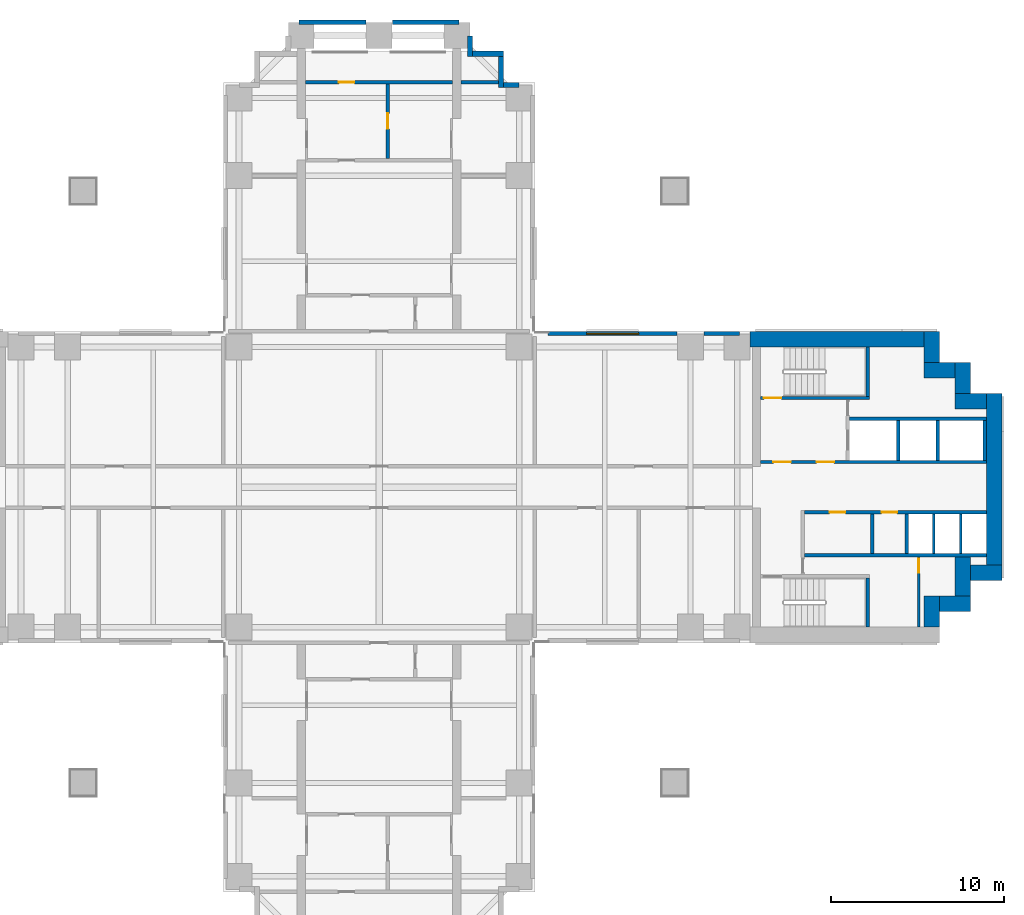
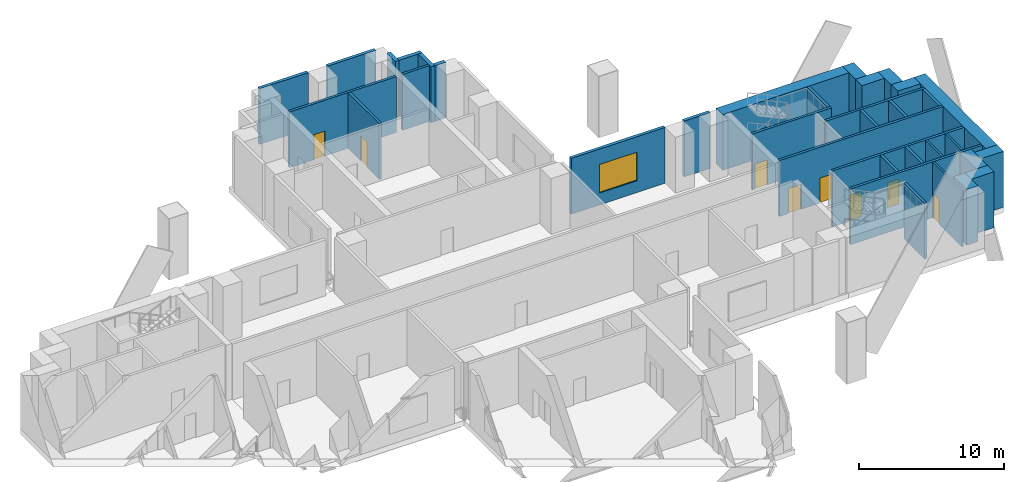
# One storey, part 6 of 10: 36 walls, 8 doors, 1 window, 9 openings.
"""IFC4 building model written with IfcOpenShell, lengths in metres."""

import ifcopenshell
import ifcopenshell.guid

model = None  # the IFC model being written
_history = None  # IfcOwnerHistory: only IFC2X3 demands one
_inside = {}  # id of a spatial element -> (the spatial element, [elements in it])
_under = {}  # id of a project, library or spatial element -> (it, [spatial elements below it])
_declared = {}  # id of a project -> (the project, [libraries it declares])
_typed = {}  # id of a type object -> (the type object, [elements of that type])
_made_of = {}  # id of a material, layer set ... -> (it, [elements and type objects made of it])


def new_model(schema):
    """Start an empty IFC model of exactly this schema.

    Asked for "IFC4X3", IfcOpenShell would pick the latest addendum, in which some entities
    have other attributes; the version numbers below select the first issue.
    IFC2X3 requires an IfcOwnerHistory on every rooted entity: one is made here for all.
    """
    global model, _history
    if schema == "IFC4X3":
        model = ifcopenshell.file(schema_version=(4, 3, 0, 0))
    else:
        model = ifcopenshell.file(schema=schema)
    _inside.clear()
    _under.clear()
    _declared.clear()
    _typed.clear()
    _made_of.clear()
    _history = None
    if model.schema == "IFC2X3":
        org = make("IfcOrganization", Name="unknown")
        user = make(
            "IfcPersonAndOrganization",
            ThePerson=make("IfcPerson", FamilyName="unknown"),
            TheOrganization=org,
        )
        app = make(
            "IfcApplication",
            ApplicationDeveloper=org,
            Version="unknown",
            ApplicationFullName="unknown",
            ApplicationIdentifier="unknown",
        )
        _history = make(
            "IfcOwnerHistory",
            OwningUser=user,
            OwningApplication=app,
            ChangeAction="ADDED",
            CreationDate=0,
        )
    return model


def make(cls, **values):
    """One entity of the class cls with the attributes given. An attribute that is None is left unset."""
    return model.create_entity(
        cls, **{name: value for name, value in values.items() if value is not None}
    )


def rooted(cls, **values):
    """An entity with a GlobalId (a new one), such as an element, a storey or a relation."""
    return make(cls, GlobalId=ifcopenshell.guid.new(), OwnerHistory=_history, **values)


def si_unit(unit_type, name, prefix=None):
    """IfcSIUnit, for example si_unit("LENGTHUNIT", "METRE", prefix="MILLI")."""
    return make("IfcSIUnit", UnitType=unit_type, Prefix=prefix, Name=name)


def assignment(units):
    """IfcUnitAssignment: the units of a project."""
    return None if units is None else make("IfcUnitAssignment", Units=units)


def point(xyz):
    """IfcCartesianPoint."""
    return None if xyz is None else make("IfcCartesianPoint", Coordinates=xyz)


def direction(xyz):
    """IfcDirection."""
    return None if xyz is None else make("IfcDirection", DirectionRatios=xyz)


def frame(location, z_axis=None, x_axis=None):
    """IfcAxis2Placement3D, a coordinate frame: its origin and axes. An axis left out is left unset."""
    return make(
        "IfcAxis2Placement3D",
        Location=point(location),
        Axis=direction(z_axis),
        RefDirection=direction(x_axis),
    )


def frame_2d(location, x_axis=None):
    """IfcAxis2Placement2D, a coordinate frame in the plane: its origin and x axis."""
    return make(
        "IfcAxis2Placement2D", Location=point(location), RefDirection=direction(x_axis)
    )


def origin():
    """The frame at (0, 0, 0) with its axes left unset."""
    return frame((0.0, 0.0, 0.0))


def place(relative_to, where):
    """IfcLocalPlacement: puts the frame where relative to a parent placement (None: the world)."""
    return make(
        "IfcLocalPlacement", PlacementRelTo=relative_to, RelativePlacement=where
    )


def context(
    kind, dimensions, precision=None, world=None, true_north=None, identifier=None
):
    """IfcGeometricRepresentationContext, for example the 3D "Model" context."""
    return make(
        "IfcGeometricRepresentationContext",
        ContextIdentifier=identifier,
        ContextType=kind,
        CoordinateSpaceDimension=dimensions,
        Precision=precision,
        WorldCoordinateSystem=world,
        TrueNorth=true_north,
    )


def subcontext(parent, identifier, kind, view, scale=None):
    """IfcGeometricRepresentationSubContext, for example "Body" below "Model"."""
    return make(
        "IfcGeometricRepresentationSubContext",
        ContextIdentifier=identifier,
        ContextType=kind,
        ParentContext=parent,
        TargetScale=scale,
        TargetView=view,
    )


def project(units=None, contexts=None):
    """IfcProject with its units and contexts."""
    return rooted(
        "IfcProject",
        Name="project",
        RepresentationContexts=contexts,
        UnitsInContext=assignment(units),
    )


def spatial(cls, under=None, at=None, **own):
    """A site, building, storey or space (cls), placed at a placement, below another one or the project."""
    s = rooted(cls, ObjectPlacement=at, **own)
    if under is not None:
        _under.setdefault(under.id(), (under, []))[1].append(s)
    return s


def profile(cls, at=None, kind="AREA", **sizes):
    """A parametric profile (cls). Its sizes go by their IFC names, for example OverallWidth=200.0."""
    return make(cls, ProfileType=kind, Position=at, **sizes)


def rectangle(**sizes):
    """IfcRectangleProfileDef."""
    return profile("IfcRectangleProfileDef", **sizes)


def extrude(swept, where, along, depth):
    """IfcExtrudedAreaSolid: the profile swept, set in the frame where, extruded along a direction by depth."""
    return make(
        "IfcExtrudedAreaSolid",
        SweptArea=swept,
        Position=where,
        ExtrudedDirection=direction(along),
        Depth=depth,
    )


def shape(context_of_items, identifier, shape_type, items):
    """IfcShapeRepresentation: the items that make up one representation, for example the "Body"."""
    return make(
        "IfcShapeRepresentation",
        ContextOfItems=context_of_items,
        RepresentationIdentifier=identifier,
        RepresentationType=shape_type,
        Items=items,
    )


def material(Name=None, Category=None):
    """IfcMaterial."""
    return make("IfcMaterial", Name=Name, Category=Category)


def layer(
    of_material, thickness, ventilated=None, Name=None, Category=None, Priority=None
):
    """IfcMaterialLayer: one layer of a wall or slab, of a material (None: an air gap)."""
    return make(
        "IfcMaterialLayer",
        Material=of_material,
        LayerThickness=thickness,
        IsVentilated=ventilated,
        Name=Name,
        Category=Category,
        Priority=Priority,
    )


def layer_set(layers, Name=None):
    """IfcMaterialLayerSet."""
    return make("IfcMaterialLayerSet", MaterialLayers=layers, LayerSetName=Name)


def made_of(thing, what):
    """Note that an element or type object is made of a material, layer set ...; save() writes the relation."""
    if what is not None:
        _made_of.setdefault(what.id(), (what, []))[1].append(thing)
    return thing


def type_object(cls, material=None, **own):
    """A type object (cls), such as IfcWallType, which elements share."""
    return made_of(rooted(cls, **own), material)


def element(
    cls,
    number,
    at=None,
    inside=None,
    cuts=None,
    type_object=None,
    material=None,
    context=None,
    identifier="Body",
    shape_type=None,
    held_by="IfcProductDefinitionShape",
    body=None,
    shapes=None,
    **own,
):
    """One element of the class cls, such as IfcWall. Its Tag is "e" and its number.

    at: its placement. inside: the storey or other place that contains it. cuts: it is an
    opening in that element (IfcRelVoidsElement). A single representation is given by context,
    identifier, shape_type and body (its items); several are given by shapes. held_by: the class
    of the entity that holds the representations. save() writes the other relations.
    """
    e = rooted(cls, Tag="e%d" % number, ObjectPlacement=at, **own)
    if body is not None:
        shapes = [shape(context, identifier, shape_type, body)]
    if shapes is not None:
        e.Representation = make(held_by, Representations=shapes)
    if inside is not None:
        _inside.setdefault(inside.id(), (inside, []))[1].append(e)
    if cuts is not None:
        rooted(
            "IfcRelVoidsElement", RelatingBuildingElement=cuts, RelatedOpeningElement=e
        )
    if type_object is not None:
        _typed.setdefault(type_object.id(), (type_object, []))[1].append(e)
    return made_of(e, material)


def fill(opening, filler):
    """IfcRelFillsElement: the door or window that sits in an opening."""
    return rooted(
        "IfcRelFillsElement",
        RelatingOpeningElement=opening,
        RelatedBuildingElement=filler,
    )


def aggregate(whole, parts):
    """IfcRelAggregates: a whole, such as a stair, and the parts it consists of."""
    return rooted("IfcRelAggregates", RelatingObject=whole, RelatedObjects=parts)


def save(model, path):
    """Write the relations noted so far, then the file.

    IfcRelAggregates (storeys below a building ...), IfcRelContainedInSpatialStructure (elements
    in a storey), IfcRelDefinesByType, IfcRelAssociatesMaterial and IfcRelDeclares: one each for
    every whole, place, type object, material and project.
    """
    for whole, parts in _under.values():
        aggregate(whole, parts)
    for where, things in _inside.values():
        rooted(
            "IfcRelContainedInSpatialStructure",
            RelatedElements=things,
            RelatingStructure=where,
        )
    for kind, things in _typed.values():
        rooted("IfcRelDefinesByType", RelatedObjects=things, RelatingType=kind)
    for what, things in _made_of.values():
        rooted("IfcRelAssociatesMaterial", RelatedObjects=things, RelatingMaterial=what)
    for by, libraries in _declared.values():
        rooted("IfcRelDeclares", RelatingContext=by, RelatedDefinitions=libraries)
    model.write(path)


model = new_model("IFC4")

# Units and contexts
model_context = context("Model", 3, precision=1e-05, world=origin(), true_north=direction((0.0, 1.0)))
body_context = subcontext(model_context, "Body", "Model", "MODEL_VIEW")
ifc_project = project(units=[si_unit("LENGTHUNIT", "METRE"), si_unit("AREAUNIT", "SQUARE_METRE"), si_unit("VOLUMEUNIT", "CUBIC_METRE"), si_unit("PLANEANGLEUNIT", "RADIAN"), si_unit("MASSUNIT", "GRAM", prefix="KILO")], contexts=[model_context])

# Site, building, storey
site_placement = place(None, origin())
site = spatial("IfcSite", under=ifc_project, at=site_placement, CompositionType="ELEMENT")
building_placement = place(site_placement, origin())
building = spatial("IfcBuilding", under=site, at=building_placement, Name="Perihelion Cross Residences", CompositionType="ELEMENT")
storey_placement = place(building_placement, frame((0.0, 0.0, 27.0)))
storey = spatial("IfcBuildingStorey", under=building, at=storey_placement, Name="L03", CompositionType="ELEMENT", Elevation=27.0)

# Wall, opening, door
ifc_material_1 = material(Name="Plasterboard partition")
ifc_layer_1 = layer(ifc_material_1, 0.199951171875)
ifc_layer_set_1 = layer_set([ifc_layer_1], Name="Apartment riser wall 200")
wall_type_1 = type_object("IfcWallType", Name="Apartment riser wall 200", PredefinedType="PARTITIONING", material=ifc_layer_set_1)
wall_1_placement = place(storey_placement, frame((0.5, 23.300048828125, 0.0), z_axis=(0.0, 0.0, 1.0), x_axis=(0.0, -1.0, 0.0)))
wall_1 = element("IfcWall", 1, at=wall_1_placement, inside=storey, type_object=wall_type_1, Name="Partition L03 W014", PredefinedType="PARTITIONING", context=body_context, shape_type="SweptSolid", body=[
    extrude(rectangle(XDim=4.300048828125, YDim=0.199951171875, at=frame_2d((2.14990234375, 0.0))), origin(), (0.0, 0.0, 1.0), 4.699951171875),
])
opening_1_placement = place(wall_1_placement, frame((1.699951171875, 0.0, 0.0)))
opening_1 = element("IfcOpeningElement", 2, at=opening_1_placement, cuts=wall_1, Name="Opening L03.A13", PredefinedType="OPENING", context=body_context, shape_type="SweptSolid", body=[
    extrude(rectangle(XDim=0.89990234375, YDim=2.10009765625, at=frame_2d((0.449951171875, 1.050048828125))), frame((0.0, 0.10986328125, 0.0), z_axis=(0.0, -1.0, 0.0), x_axis=(1.0, 0.0, 0.0)), (0.0, 0.0, 1.0), 0.219970703125),
])
ifc_material_2 = material(Name="Timber door leaf", Category="wood")
door_type_1 = type_object("IfcDoorType", Name="Interior room door 900 x 2100", OperationType="SINGLE_SWING_LEFT", PredefinedType="DOOR", material=ifc_material_2)
door_1_placement = place(opening_1_placement, origin())
door_1 = element("IfcDoor", 3, at=door_1_placement, inside=storey, type_object=door_type_1, Name="Door L03.A13", OperationType="SINGLE_SWING_RIGHT", OverallHeight=2.10009765625, OverallWidth=0.89990234375, PredefinedType="DOOR", context=body_context, shape_type="SweptSolid", body=[
    extrude(rectangle(XDim=0.89990234375, YDim=2.10009765625, at=frame_2d((0.449951171875, 1.050048828125))), frame((0.0, 0.02490234375, 0.0), z_axis=(0.0, -1.0, 0.0), x_axis=(1.0, 0.0, 0.0)), (0.0, 0.0, 1.0), 0.050048828125),
])
fill(opening_1, door_1)

wall_2_placement = place(storey_placement, frame((-4.25, 23.39990234375, 0.0), z_axis=(0.0, 0.0, 1.0), x_axis=(1.0, 0.0, 0.0)))
wall_2 = element("IfcWall", 4, at=wall_2_placement, inside=storey, type_object=wall_type_1, Name="Partition L03 W015", PredefinedType="PARTITIONING", context=body_context, shape_type="SweptSolid", body=[
    extrude(rectangle(XDim=8.5, YDim=0.199951171875, at=frame_2d((4.25, 0.0))), origin(), (0.0, 0.0, 1.0), 4.699951171875),
])
opening_2_placement = place(wall_2_placement, frame((1.925048828125, 0.0, 0.0)))
opening_2 = element("IfcOpeningElement", 5, at=opening_2_placement, cuts=wall_2, Name="Opening L03.A14", PredefinedType="OPENING", context=body_context, shape_type="SweptSolid", body=[
    extrude(rectangle(XDim=0.89990234375, YDim=2.10009765625, at=frame_2d((0.449951171875, 1.050048828125))), frame((0.0, 0.10986328125, 0.0), z_axis=(0.0, -1.0, 0.0), x_axis=(1.0, 0.0, 0.0)), (0.0, 0.0, 1.0), 0.219970703125),
])
door_2_placement = place(opening_2_placement, origin())
door_2 = element("IfcDoor", 6, at=door_2_placement, inside=storey, type_object=door_type_1, Name="Door L03.A14", OperationType="SINGLE_SWING_RIGHT", OverallHeight=2.10009765625, OverallWidth=0.89990234375, PredefinedType="DOOR", context=body_context, shape_type="SweptSolid", body=[
    extrude(rectangle(XDim=0.89990234375, YDim=2.10009765625, at=frame_2d((0.449951171875, 1.050048828125))), frame((0.0, 0.02490234375, 0.0), z_axis=(0.0, -1.0, 0.0), x_axis=(1.0, 0.0, 0.0)), (0.0, 0.0, 1.0), 0.050048828125),
])
fill(opening_2, door_2)

# Walls
wall_3_placement = place(storey_placement, frame((4.75, 23.39990234375, 0.0), z_axis=(0.0, 0.0, 1.0), x_axis=(1.0, 0.0, 0.0)))
element("IfcWall", 7, at=wall_3_placement, inside=storey, type_object=wall_type_1, Name="Partition L03 W017", PredefinedType="PARTITIONING", context=body_context, shape_type="SweptSolid", body=[
    extrude(rectangle(XDim=2.14990234375, YDim=0.199951171875, at=frame_2d((1.074951171875, 0.0))), origin(), (0.0, 0.0, 1.0), 4.699951171875),
])
ifc_material_3 = material(Name="Concrete C30/37, bronze-clad", Category="concrete")
ifc_layer_2 = layer(ifc_material_3, 0.300048828125)
ifc_layer_set_2 = layer_set([ifc_layer_2], Name="Bronze-clad serration wall 300")
wall_type_2 = type_object("IfcWallType", Name="Bronze-clad serration wall 300", PredefinedType="SOLIDWALL", material=ifc_layer_set_2)
wall_4_placement = place(storey_placement, frame((8.080078125, 23.25, 0.0), z_axis=(0.0, 0.0, 1.0), x_axis=(-1.0, 0.0, 0.0)))
element("IfcWall", 8, at=wall_4_placement, inside=storey, type_object=wall_type_2, Name="Wall SR1 L03 north corner north-east 1", PredefinedType="SOLIDWALL", context=body_context, shape_type="SweptSolid", body=[
    extrude(rectangle(XDim=0.880126953125, YDim=0.300048828125, at=frame_2d((0.43994140625, 0.0))), origin(), (0.0, 0.0, 1.0), 4.699951171875),
])
wall_5_placement = place(storey_placement, frame((7.050048828125, 23.10009765625, 0.0), z_axis=(0.0, 0.0, 1.0), x_axis=(0.0, 1.0, 0.0)))
element("IfcWall", 9, at=wall_5_placement, inside=storey, type_object=wall_type_2, Name="Wall SR1 L03 north corner north-east 2", PredefinedType="SOLIDWALL", context=body_context, shape_type="SweptSolid", body=[
    extrude(rectangle(XDim=1.7998046875, YDim=0.300048828125, at=frame_2d((0.89990234375, 0.0))), origin(), (0.0, 0.0, 1.0), 4.699951171875),
])
wall_6_placement = place(storey_placement, frame((7.199951171875, 25.050048828125, 0.0), z_axis=(0.0, 0.0, 1.0), x_axis=(-1.0, 0.0, 0.0)))
element("IfcWall", 10, at=wall_6_placement, inside=storey, type_object=wall_type_2, Name="Wall SR1 L03 north corner north-east 3", PredefinedType="SOLIDWALL", context=body_context, shape_type="SweptSolid", body=[
    extrude(rectangle(XDim=1.800048828125, YDim=0.300048828125, at=frame_2d((0.89990234375, 0.0))), origin(), (0.0, 0.0, 1.0), 4.699951171875),
])
wall_7_placement = place(storey_placement, frame((5.25, 24.89990234375, 0.0), z_axis=(0.0, 0.0, 1.0), x_axis=(0.0, 1.0, 0.0)))
element("IfcWall", 11, at=wall_7_placement, inside=storey, type_object=wall_type_2, Name="Wall SR1 L03 north corner north-east 4", PredefinedType="SOLIDWALL", context=body_context, shape_type="SweptSolid", body=[
    extrude(rectangle(XDim=1.18017578125, YDim=0.300048828125, at=frame_2d((0.590087890625, 0.0))), origin(), (0.0, 0.0, 1.0), 4.699951171875),
])
ifc_material_4 = material(Name="Concrete C60/75", Category="concrete")
ifc_layer_3 = layer(ifc_material_4, 0.89990234375)
ifc_layer_set_3 = layer_set([ifc_layer_3], Name="Core wall, outer 900")
wall_type_3 = type_object("IfcWallType", Name="Core wall, outer 900", PredefinedType="SHEAR", material=ifc_layer_set_3)
for number, where, z_axis, x_axis, name in (
    (12, (31.949951171875, -8.10009765625, 0.0), (0.0, 0.0, 1.0), (0.0, 1.0, 0.0), "East core core wall, outer"),
    (13, (32.39990234375, -6.75, 0.0), (0.0, 0.0, 1.0), (1.0, 0.0, 0.0), "East core core wall, outer"),
):
    element("IfcWall", number, at=place(storey_placement, frame(where, z_axis=z_axis, x_axis=x_axis)), inside=storey, type_object=wall_type_3, Name=name, PredefinedType="SHEAR", context=body_context, shape_type="SweptSolid", body=[
        extrude(rectangle(XDim=1.800048828125, YDim=0.89990234375, at=frame_2d((0.89990234375, 0.0))), origin(), (0.0, 0.0, 1.0), 4.699951171875),
    ])
wall_8_placement = place(storey_placement, frame((33.75, -6.300048828125, 0.0), z_axis=(0.0, 0.0, 1.0), x_axis=(0.0, 1.0, 0.0)))
element("IfcWall", 14, at=wall_8_placement, inside=storey, type_object=wall_type_3, Name="East core core wall, outer", PredefinedType="SHEAR", context=body_context, shape_type="SweptSolid", body=[
    extrude(rectangle(XDim=2.25, YDim=0.89990234375, at=frame_2d((1.125, 0.0))), origin(), (0.0, 0.0, 1.0), 4.699951171875),
])
wall_9_placement = place(storey_placement, frame((34.199951171875, -4.949951171875, 0.0), z_axis=(0.0, 0.0, 1.0), x_axis=(1.0, 0.0, 0.0)))
element("IfcWall", 15, at=wall_9_placement, inside=storey, type_object=wall_type_3, Name="East core core wall, outer", PredefinedType="SHEAR", context=body_context, shape_type="SweptSolid", body=[
    extrude(rectangle(XDim=1.800048828125, YDim=0.89990234375, at=frame_2d((0.89990234375, 0.0))), origin(), (0.0, 0.0, 1.0), 4.699951171875),
])
wall_10_placement = place(storey_placement, frame((35.550048828125, -4.5, 0.0), z_axis=(0.0, 0.0, 1.0), x_axis=(0.0, 1.0, 0.0)))
element("IfcWall", 16, at=wall_10_placement, inside=storey, type_object=wall_type_3, Name="East core core wall, outer", PredefinedType="SHEAR", context=body_context, shape_type="SweptSolid", body=[
    extrude(rectangle(XDim=9.89990234375, YDim=0.89990234375, at=frame_2d((4.949951171875, 0.0))), origin(), (0.0, 0.0, 1.0), 4.699951171875),
])
for number, where, z_axis, x_axis, name in (
    (17, (33.300048828125, 4.949951171875, 0.0), (0.0, 0.0, 1.0), (1.0, 0.0, 0.0), "East core core wall, outer"),
    (18, (33.75, 5.39990234375, 0.0), (0.0, 0.0, 1.0), (0.0, 1.0, 0.0), "East core core wall, outer"),
    (19, (31.5, 6.75, 0.0), (0.0, 0.0, 1.0), (1.0, 0.0, 0.0), "East core core wall, outer"),
    (20, (31.949951171875, 7.199951171875, 0.0), (0.0, 0.0, 1.0), (0.0, 1.0, 0.0), "East core core wall, outer"),
):
    element("IfcWall", number, at=place(storey_placement, frame(where, z_axis=z_axis, x_axis=x_axis)), inside=storey, type_object=wall_type_3, Name=name, PredefinedType="SHEAR", context=body_context, shape_type="SweptSolid", body=[
        extrude(rectangle(XDim=1.800048828125, YDim=0.89990234375, at=frame_2d((0.89990234375, 0.0))), origin(), (0.0, 0.0, 1.0), 4.699951171875),
    ])
wall_11_placement = place(storey_placement, frame((21.449951171875, 8.550048828125, 0.0), z_axis=(0.0, 0.0, 1.0), x_axis=(1.0, 0.0, 0.0)))
element("IfcWall", 21, at=wall_11_placement, inside=storey, type_object=wall_type_3, Name="East core core wall, outer", PredefinedType="SHEAR", context=body_context, shape_type="SweptSolid", body=[
    extrude(rectangle(XDim=10.050048828125, YDim=0.89990234375, at=frame_2d((5.02490234375, 0.0))), origin(), (0.0, 0.0, 1.0), 4.699951171875),
])
ifc_material_5 = material(Name="Concrete C30/37, bronze-clad", Category="concrete")
ifc_layer_4 = layer(ifc_material_5, 0.25)
ifc_layer_set_4 = layer_set([ifc_layer_4], Name="Louvre bay wall 250")
wall_type_4 = type_object("IfcWallType", Name="Louvre bay wall 250", PredefinedType="SOLIDWALL", material=ifc_layer_set_4)
wall_12_placement = place(storey_placement, frame((20.830078125, 8.875, 0.0), z_axis=(0.0, 0.0, 1.0), x_axis=(-1.0, 0.0, 0.0)))
element("IfcWall", 22, at=wall_12_placement, inside=storey, type_object=wall_type_4, Name="Wall FW2 L03 east side north bay 1 louvre", PredefinedType="SOLIDWALL", context=body_context, shape_type="SweptSolid", body=[
    extrude(rectangle(XDim=2.06005859375, YDim=0.25, at=frame_2d((1.030029296875, 0.0))), origin(), (0.0, 0.0, 1.0), 4.699951171875),
])

# Wall, opening, window
wall_13_placement = place(storey_placement, frame((17.22998046875, 8.875, 0.0), z_axis=(0.0, 0.0, 1.0), x_axis=(-1.0, 0.0, 0.0)))
wall_13 = element("IfcWall", 23, at=wall_13_placement, inside=storey, type_object=wall_type_4, Name="Wall FW2 L03 east side north bay 2 louvre", PredefinedType="SOLIDWALL", context=body_context, shape_type="SweptSolid", body=[
    extrude(rectangle(XDim=7.4599609375, YDim=0.25, at=frame_2d((3.72998046875, 0.0))), origin(), (0.0, 0.0, 1.0), 4.699951171875),
])
opening_3_placement = place(wall_13_placement, frame((2.22998046875, 0.0, 1.0)))
opening_3 = element("IfcOpeningElement", 24, at=opening_3_placement, cuts=wall_13, Name="Opening L03.W01", PredefinedType="OPENING", context=body_context, shape_type="SweptSolid", body=[
    extrude(rectangle(XDim=3.0, YDim=2.39990234375, at=frame_2d((1.5, 1.199951171875))), frame((0.0, 0.135009765625, 0.0), z_axis=(0.0, -1.0, 0.0), x_axis=(1.0, 0.0, 0.0)), (0.0, 0.0, 1.0), 0.27001953125),
])
ifc_material_6 = material(Name="Bronze anodised aluminium, louvred", Category="aluminium")
window_type = type_object("IfcWindowType", Name="Louvred vent 3000 x 2400", PartitioningType="SINGLE_PANEL", PredefinedType="WINDOW", material=ifc_material_6)
window_placement = place(opening_3_placement, origin())
window = element("IfcWindow", 25, at=window_placement, inside=storey, type_object=window_type, Name="Window L03.W01 east side north bay 2 vent", OverallHeight=2.39990234375, OverallWidth=3.0, PartitioningType="SINGLE_PANEL", PredefinedType="WINDOW", context=body_context, shape_type="SweptSolid", body=[
    extrude(rectangle(XDim=3.0, YDim=2.39990234375, at=frame_2d((1.5, 1.199951171875))), frame((0.0, 0.030029296875, 0.0), z_axis=(0.0, -1.0, 0.0), x_axis=(1.0, 0.0, 0.0)), (0.0, 0.0, 1.0), 0.06005859375),
])
fill(opening_3, window)

# Walls
for number, where, z_axis, x_axis, name in (
    (26, (4.6298828125, 26.875, 0.0), (0.0, 0.0, 1.0), (-1.0, 0.0, 0.0), "Wall FW2 L03 north tip north bay 1 louvre"),
    (27, (-0.77001953125, 26.875, 0.0), (0.0, 0.0, 1.0), (-1.0, 0.0, 0.0), "Wall FW2 L03 north tip north bay 2 louvre"),
):
    element("IfcWall", number, at=place(storey_placement, frame(where, z_axis=z_axis, x_axis=x_axis)), inside=storey, type_object=wall_type_4, Name=name, PredefinedType="SOLIDWALL", context=body_context, shape_type="SweptSolid", body=[
        extrude(rectangle(XDim=3.85986328125, YDim=0.25, at=frame_2d((1.929931640625, 0.0))), origin(), (0.0, 0.0, 1.0), 4.699951171875),
    ])

# Wall, opening, door
ifc_material_7 = material(Name="Fire-rated board on steel stud", Category="steel")
ifc_layer_5 = layer(ifc_material_7, 0.14990234375)
ifc_layer_set_5 = layer_set([ifc_layer_5], Name="Riser wall 150")
wall_type_5 = type_object("IfcWallType", Name="Riser wall 150", PredefinedType="PARTITIONING", material=ifc_layer_set_5)
wall_14_placement = place(storey_placement, frame((31.199951171875, -8.10009765625, 0.0), z_axis=(0.0, 0.0, 1.0), x_axis=(0.0, 1.0, 0.0)))
wall_14 = element("IfcWall", 28, at=wall_14_placement, inside=storey, type_object=wall_type_5, Name="East core riser wall", PredefinedType="PARTITIONING", context=body_context, shape_type="SweptSolid", body=[
    extrude(rectangle(XDim=4.050048828125, YDim=0.14990234375, at=frame_2d((2.02490234375, 0.0))), origin(), (0.0, 0.0, 1.0), 4.699951171875),
])
opening_4_placement = place(wall_14_placement, frame((3.14990234375, 0.0, 0.0)))
opening_4 = element("IfcOpeningElement", 29, at=opening_4_placement, cuts=wall_14, Name="Opening L03.C10", PredefinedType="OPENING", context=body_context, shape_type="SweptSolid", body=[
    extrude(rectangle(XDim=0.800048828125, YDim=2.10009765625, at=frame_2d((0.39990234375, 1.050048828125))), frame((0.0, 0.0849609375, 0.0), z_axis=(0.0, -1.0, 0.0), x_axis=(1.0, 0.0, 0.0)), (0.0, 0.0, 1.0), 0.169921875),
])
ifc_material_8 = material(Name="Steel, powder coated", Category="steel")
door_type_2 = type_object("IfcDoorType", Name="Riser door 800", OperationType="SINGLE_SWING_LEFT", PredefinedType="DOOR", material=ifc_material_8)
door_3_placement = place(opening_4_placement, origin())
door_3 = element("IfcDoor", 30, at=door_3_placement, inside=storey, type_object=door_type_2, Name="East core riser door", OperationType="SINGLE_SWING_LEFT", OverallHeight=2.10009765625, OverallWidth=0.800048828125, PredefinedType="DOOR", context=body_context, shape_type="SweptSolid", body=[
    extrude(rectangle(XDim=0.800048828125, YDim=2.10009765625, at=frame_2d((0.39990234375, 1.050048828125))), frame((0.0, 0.02490234375, 0.0), z_axis=(0.0, -1.0, 0.0), x_axis=(1.0, 0.0, 0.0)), (0.0, 0.0, 1.0), 0.050048828125),
])
fill(opening_4, door_3)

# Walls
ifc_material_9 = material(Name="Fire-rated board on steel stud", Category="steel")
ifc_layer_6 = layer(ifc_material_9, 0.199951171875)
ifc_layer_set_6 = layer_set([ifc_layer_6], Name="Riser wall 200")
wall_type_6 = type_object("IfcWallType", Name="Riser wall 200", PredefinedType="PARTITIONING", material=ifc_layer_set_6)
wall_15_placement = place(storey_placement, frame((28.5, -3.85009765625, 0.0), z_axis=(0.0, 0.0, 1.0), x_axis=(0.0, 1.0, 0.0)))
element("IfcWall", 31, at=wall_15_placement, inside=storey, type_object=wall_type_6, Name="East core riser wall", PredefinedType="PARTITIONING", context=body_context, shape_type="SweptSolid", body=[
    extrude(rectangle(XDim=2.300048828125, YDim=0.199951171875, at=frame_2d((1.14990234375, 0.0))), origin(), (0.0, 0.0, 1.0), 4.699951171875),
])
ifc_material_10 = material(Name="Concrete C50/60", Category="concrete")
ifc_layer_7 = layer(ifc_material_10, 0.14990234375)
ifc_layer_set_7 = layer_set([ifc_layer_7], Name="Shaft wall 150")
wall_type_7 = type_object("IfcWallType", Name="Shaft wall 150", PredefinedType="SOLIDWALL", material=ifc_layer_set_7)
for number, where, z_axis, x_axis, name in (
    (32, (32.074951171875, -3.85009765625, 0.0), (0.0, 0.0, 1.0), (0.0, 1.0, 0.0), "East core shaft wall"),
    (33, (33.625, -3.85009765625, 0.0), (0.0, 0.0, 1.0), (0.0, 1.0, 0.0), "East core shaft wall"),
):
    element("IfcWall", number, at=place(storey_placement, frame(where, z_axis=z_axis, x_axis=x_axis)), inside=storey, type_object=wall_type_7, Name=name, PredefinedType="SOLIDWALL", context=body_context, shape_type="SweptSolid", body=[
        extrude(rectangle(XDim=2.300048828125, YDim=0.14990234375, at=frame_2d((1.14990234375, 0.0))), origin(), (0.0, 0.0, 1.0), 4.699951171875),
    ])

# Wall, openings, doors
ifc_material_11 = material(Name="Concrete C50/60", Category="concrete")
ifc_layer_8 = layer(ifc_material_11, 0.199951171875)
ifc_layer_set_8 = layer_set([ifc_layer_8], Name="Shaft wall 200")
wall_type_8 = type_object("IfcWallType", Name="Shaft wall 200", PredefinedType="SOLIDWALL", material=ifc_layer_set_8)
wall_16_placement = place(storey_placement, frame((22.050048828125, 1.449951171875, 0.0), z_axis=(0.0, 0.0, 1.0), x_axis=(1.0, 0.0, 0.0)))
wall_16 = element("IfcWall", 34, at=wall_16_placement, inside=storey, type_object=wall_type_8, Name="East core shaft wall", PredefinedType="SOLIDWALL", context=body_context, shape_type="SweptSolid", body=[
    extrude(rectangle(XDim=13.050048828125, YDim=0.199951171875, at=frame_2d((6.52490234375, 0.0))), origin(), (0.0, 0.0, 1.0), 4.699951171875),
])
opening_5_placement = place(wall_16_placement, frame((0.75, 0.0, 0.0)))
opening_5 = element("IfcOpeningElement", 35, at=opening_5_placement, cuts=wall_16, Name="Opening L03.C04", PredefinedType="OPENING", context=body_context, shape_type="SweptSolid", body=[
    extrude(rectangle(XDim=1.0, YDim=2.10009765625, at=frame_2d((0.5, 1.050048828125))), frame((0.0, 0.10986328125, 0.0), z_axis=(0.0, -1.0, 0.0), x_axis=(1.0, 0.0, 0.0)), (0.0, 0.0, 1.0), 0.219970703125),
])
opening_6_placement = place(wall_16_placement, frame((3.25, 0.0, 0.0)))
opening_6 = element("IfcOpeningElement", 36, at=opening_6_placement, cuts=wall_16, Name="Opening L03.C06", PredefinedType="OPENING", context=body_context, shape_type="SweptSolid", body=[
    extrude(rectangle(XDim=1.0, YDim=2.10009765625, at=frame_2d((0.5, 1.050048828125))), frame((0.0, 0.10986328125, 0.0), z_axis=(0.0, -1.0, 0.0), x_axis=(1.0, 0.0, 0.0)), (0.0, 0.0, 1.0), 0.219970703125),
])
ifc_material_12 = material(Name="Steel, powder coated", Category="steel")
door_type_3 = type_object("IfcDoorType", Name="Lobby door 1000", OperationType="SINGLE_SWING_LEFT", PredefinedType="DOOR", material=ifc_material_12)
door_4_placement = place(opening_5_placement, origin())
door_4 = element("IfcDoor", 37, at=door_4_placement, inside=storey, type_object=door_type_3, Name="East core firefighting lobby door", OperationType="SINGLE_SWING_LEFT", OverallHeight=2.10009765625, OverallWidth=1.0, PredefinedType="DOOR", context=body_context, shape_type="SweptSolid", body=[
    extrude(rectangle(XDim=1.0, YDim=2.10009765625, at=frame_2d((0.5, 1.050048828125))), frame((0.0, 0.02490234375, 0.0), z_axis=(0.0, -1.0, 0.0), x_axis=(1.0, 0.0, 0.0)), (0.0, 0.0, 1.0), 0.050048828125),
])
fill(opening_5, door_4)
door_5_placement = place(opening_6_placement, origin())
door_5 = element("IfcDoor", 38, at=door_5_placement, inside=storey, type_object=door_type_3, Name="East core firefighting lobby door", OperationType="SINGLE_SWING_LEFT", OverallHeight=2.10009765625, OverallWidth=1.0, PredefinedType="DOOR", context=body_context, shape_type="SweptSolid", body=[
    extrude(rectangle(XDim=1.0, YDim=2.10009765625, at=frame_2d((0.5, 1.050048828125))), frame((0.0, 0.02490234375, 0.0), z_axis=(0.0, -1.0, 0.0), x_axis=(1.0, 0.0, 0.0)), (0.0, 0.0, 1.0), 0.050048828125),
])
fill(opening_6, door_5)

wall_17_placement = place(storey_placement, frame((24.60009765625, -1.449951171875, 0.0), z_axis=(0.0, 0.0, 1.0), x_axis=(1.0, 0.0, 0.0)))
wall_17 = element("IfcWall", 39, at=wall_17_placement, inside=storey, type_object=wall_type_8, Name="East core shaft wall", PredefinedType="SOLIDWALL", context=body_context, shape_type="SweptSolid", body=[
    extrude(rectangle(XDim=10.5, YDim=0.199951171875, at=frame_2d((5.25, 0.0))), origin(), (0.0, 0.0, 1.0), 4.699951171875),
])
opening_7_placement = place(wall_17_placement, frame((1.449951171875, 0.0, 0.0)))
opening_7 = element("IfcOpeningElement", 40, at=opening_7_placement, cuts=wall_17, Name="Opening L03.C07", PredefinedType="OPENING", context=body_context, shape_type="SweptSolid", body=[
    extrude(rectangle(XDim=0.89990234375, YDim=2.10009765625, at=frame_2d((0.449951171875, 1.050048828125))), frame((0.0, 0.10986328125, 0.0), z_axis=(0.0, -1.0, 0.0), x_axis=(1.0, 0.0, 0.0)), (0.0, 0.0, 1.0), 0.219970703125),
])
opening_8_placement = place(wall_17_placement, frame((4.449951171875, 0.0, 0.0)))
opening_8 = element("IfcOpeningElement", 41, at=opening_8_placement, cuts=wall_17, Name="Opening L03.C09", PredefinedType="OPENING", context=body_context, shape_type="SweptSolid", body=[
    extrude(rectangle(XDim=0.89990234375, YDim=2.10009765625, at=frame_2d((0.449951171875, 1.050048828125))), frame((0.0, 0.10986328125, 0.0), z_axis=(0.0, -1.0, 0.0), x_axis=(1.0, 0.0, 0.0)), (0.0, 0.0, 1.0), 0.219970703125),
])
ifc_material_13 = material(Name="Steel, powder coated", Category="steel")
door_type_4 = type_object("IfcDoorType", Name="Service room door 900", OperationType="SINGLE_SWING_LEFT", PredefinedType="DOOR", material=ifc_material_13)
door_6_placement = place(opening_7_placement, origin())
door_6 = element("IfcDoor", 42, at=door_6_placement, inside=storey, type_object=door_type_4, Name="East core service room door", OperationType="SINGLE_SWING_LEFT", OverallHeight=2.10009765625, OverallWidth=0.89990234375, PredefinedType="DOOR", context=body_context, shape_type="SweptSolid", body=[
    extrude(rectangle(XDim=0.89990234375, YDim=2.10009765625, at=frame_2d((0.449951171875, 1.050048828125))), frame((0.0, 0.02490234375, 0.0), z_axis=(0.0, -1.0, 0.0), x_axis=(1.0, 0.0, 0.0)), (0.0, 0.0, 1.0), 0.050048828125),
])
fill(opening_7, door_6)
door_7_placement = place(opening_8_placement, origin())
door_7 = element("IfcDoor", 43, at=door_7_placement, inside=storey, type_object=door_type_4, Name="East core service room door", OperationType="SINGLE_SWING_LEFT", OverallHeight=2.10009765625, OverallWidth=0.89990234375, PredefinedType="DOOR", context=body_context, shape_type="SweptSolid", body=[
    extrude(rectangle(XDim=0.89990234375, YDim=2.10009765625, at=frame_2d((0.449951171875, 1.050048828125))), frame((0.0, 0.02490234375, 0.0), z_axis=(0.0, -1.0, 0.0), x_axis=(1.0, 0.0, 0.0)), (0.0, 0.0, 1.0), 0.050048828125),
])
fill(opening_8, door_7)

# Walls
wall_18_placement = place(storey_placement, frame((27.199951171875, 3.949951171875, 0.0), z_axis=(0.0, 0.0, 1.0), x_axis=(1.0, 0.0, 0.0)))
element("IfcWall", 44, at=wall_18_placement, inside=storey, type_object=wall_type_8, Name="East core shaft wall", PredefinedType="SOLIDWALL", context=body_context, shape_type="SweptSolid", body=[
    extrude(rectangle(XDim=7.900146484375, YDim=0.199951171875, at=frame_2d((3.9501953125, 0.0))), origin(), (0.0, 0.0, 1.0), 4.699951171875),
])
wall_19_placement = place(storey_placement, frame((24.60009765625, -3.949951171875, 0.0), z_axis=(0.0, 0.0, 1.0), x_axis=(1.0, 0.0, 0.0)))
element("IfcWall", 45, at=wall_19_placement, inside=storey, type_object=wall_type_8, Name="East core shaft wall", PredefinedType="SOLIDWALL", context=body_context, shape_type="SweptSolid", body=[
    extrude(rectangle(XDim=10.5, YDim=0.199951171875, at=frame_2d((5.25, 0.0))), origin(), (0.0, 0.0, 1.0), 4.699951171875),
])
for number, where, z_axis, x_axis, name in (
    (46, (30.0, 1.550048828125, 0.0), (0.0, 0.0, 1.0), (0.0, 1.0, 0.0), "East core shaft wall"),
    (47, (32.300048828125, 1.550048828125, 0.0), (0.0, 0.0, 1.0), (0.0, 1.0, 0.0), "East core shaft wall"),
    (48, (35.0, 1.550048828125, 0.0), (0.0, 0.0, 1.0), (0.0, 1.0, 0.0), "East core shaft wall"),
    (49, (30.5, -3.85009765625, 0.0), (0.0, 0.0, 1.0), (0.0, 1.0, 0.0), "East core shaft wall"),
):
    element("IfcWall", number, at=place(storey_placement, frame(where, z_axis=z_axis, x_axis=x_axis)), inside=storey, type_object=wall_type_8, Name=name, PredefinedType="SOLIDWALL", context=body_context, shape_type="SweptSolid", body=[
        extrude(rectangle(XDim=2.300048828125, YDim=0.199951171875, at=frame_2d((1.14990234375, 0.0))), origin(), (0.0, 0.0, 1.0), 4.699951171875),
    ])

# Wall, opening, door
ifc_material_14 = material(Name="Concrete C50/60", Category="concrete")
ifc_layer_9 = layer(ifc_material_14, 0.199951171875)
ifc_layer_set_9 = layer_set([ifc_layer_9], Name="Stair wall 200")
wall_type_9 = type_object("IfcWallType", Name="Stair wall 200", PredefinedType="SOLIDWALL", material=ifc_layer_set_9)
wall_20_placement = place(storey_placement, frame((22.050048828125, 5.14990234375, 0.0), z_axis=(0.0, 0.0, 1.0), x_axis=(1.0, 0.0, 0.0)))
wall_20 = element("IfcWall", 50, at=wall_20_placement, inside=storey, type_object=wall_type_9, Name="East core stair wall", PredefinedType="SOLIDWALL", context=body_context, shape_type="SweptSolid", body=[
    extrude(rectangle(XDim=6.300048828125, YDim=0.199951171875, at=frame_2d((3.14990234375, 0.0))), origin(), (0.0, 0.0, 1.0), 4.699951171875),
])
opening_9_placement = place(wall_20_placement, frame((0.199951171875, 0.0, 0.0)))
opening_9 = element("IfcOpeningElement", 51, at=opening_9_placement, cuts=wall_20, Name="Opening L03.C03", PredefinedType="OPENING", context=body_context, shape_type="SweptSolid", body=[
    extrude(rectangle(XDim=1.0, YDim=2.10009765625, at=frame_2d((0.5, 1.050048828125))), frame((0.0, 0.10986328125, 0.0), z_axis=(0.0, -1.0, 0.0), x_axis=(1.0, 0.0, 0.0)), (0.0, 0.0, 1.0), 0.219970703125),
])
ifc_material_15 = material(Name="Steel, powder coated", Category="steel")
door_type_5 = type_object("IfcDoorType", Name="Stair door 1000", OperationType="SINGLE_SWING_LEFT", PredefinedType="DOOR", material=ifc_material_15)
door_8_placement = place(opening_9_placement, origin())
door_8 = element("IfcDoor", 52, at=door_8_placement, inside=storey, type_object=door_type_5, Name="East core stair door", OperationType="SINGLE_SWING_LEFT", OverallHeight=2.10009765625, OverallWidth=1.0, PredefinedType="DOOR", context=body_context, shape_type="SweptSolid", body=[
    extrude(rectangle(XDim=1.0, YDim=2.10009765625, at=frame_2d((0.5, 1.050048828125))), frame((0.0, 0.02490234375, 0.0), z_axis=(0.0, -1.0, 0.0), x_axis=(1.0, 0.0, 0.0)), (0.0, 0.0, 1.0), 0.050048828125),
])
fill(opening_9, door_8)

# Walls
for number, where, z_axis, x_axis, name in (
    (53, (28.25, 5.25, 0.0), (0.0, 0.0, 1.0), (0.0, 1.0, 0.0), "East core stair wall"),
    (54, (28.25, -8.10009765625, 0.0), (0.0, 0.0, 1.0), (0.0, 1.0, 0.0), "East core stair wall"),
):
    element("IfcWall", number, at=place(storey_placement, frame(where, z_axis=z_axis, x_axis=x_axis)), inside=storey, type_object=wall_type_9, Name=name, PredefinedType="SOLIDWALL", context=body_context, shape_type="SweptSolid", body=[
        extrude(rectangle(XDim=2.85009765625, YDim=0.199951171875, at=frame_2d((1.425048828125, 0.0))), origin(), (0.0, 0.0, 1.0), 4.699951171875),
    ])

save(model, "model.ifc")
